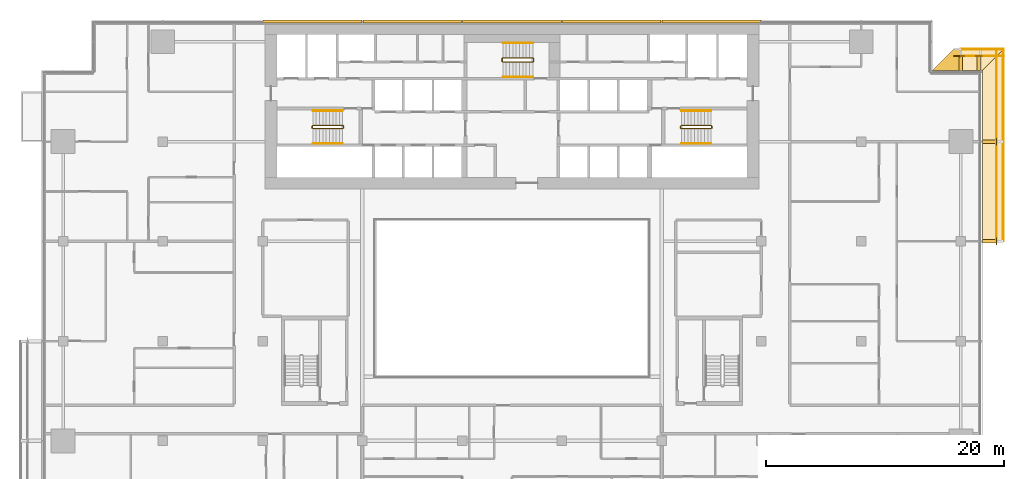
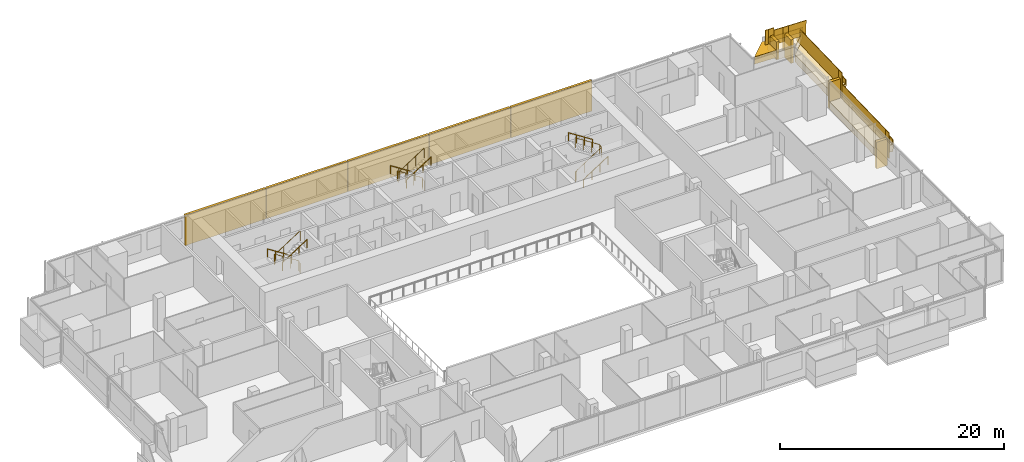
# One storey, part 27 of 29: 17 railings, 16 coverings.
"""IFC4 building model written with IfcOpenShell, lengths in metres."""

from ifc_helpers import new_model, si_unit, direction, frame, origin, origin_2d, place, context, subcontext, project, spatial, polyline, rectangle, circle, outline, extrude, material, layer, layer_set, type_object, element, save


model = new_model("IFC4")

# Units and contexts
model_context = context("Model", 3, precision=1e-05, world=origin(), true_north=direction((0.0, 1.0)))
body_context = subcontext(model_context, "Body", "Model", "MODEL_VIEW")
ifc_project = project(units=[si_unit("LENGTHUNIT", "METRE"), si_unit("AREAUNIT", "SQUARE_METRE"), si_unit("VOLUMEUNIT", "CUBIC_METRE"), si_unit("PLANEANGLEUNIT", "RADIAN"), si_unit("MASSUNIT", "GRAM", prefix="KILO")], contexts=[model_context])

# Site, building, storey
site_placement = place(None, origin())
site = spatial("IfcSite", under=ifc_project, at=site_placement, CompositionType="ELEMENT")
building_placement = place(site_placement, origin())
building = spatial("IfcBuilding", under=site, at=building_placement, Name="Saffron Gate Tower", CompositionType="ELEMENT")
storey_placement = place(building_placement, frame((0.0, 0.0, 113.25)))
storey = spatial("IfcBuildingStorey", under=building, at=storey_placement, Name="L26", CompositionType="ELEMENT", Elevation=113.25)

# Coverings
ifc_material_1 = material(Name="Ceramic-printed bronze insulated panel")
ifc_layer_1 = layer(ifc_material_1, 0.239990234375)
ifc_layer_set_1 = layer_set([ifc_layer_1], Name="CLD2 ceramic-printed cladding panel 240")
covering_type_1 = type_object("IfcCoveringType", Name="CLD2 ceramic-printed cladding panel 240", PredefinedType="CLADDING", material=ifc_layer_set_1)
covering_1_placement = place(storey_placement, origin())
element("IfcCovering", 1, at=covering_1_placement, inside=storey, type_object=covering_type_1, Name="CLADDING ceramic-printed panel", PredefinedType="CLADDING", context=body_context, shape_type="SweptSolid", body=[
    extrude(outline(polyline([(108.56494140625, 75.639892578125), (100.235107421875, 75.639892578125), (100.235107421875, 75.39990234375), (108.56494140625, 75.39990234375), (108.56494140625, 75.639892578125)])), origin(), (0.0, 0.0, 1.0), 3.320068359375),
])
covering_2_placement = place(storey_placement, origin())
element("IfcCovering", 2, at=covering_2_placement, inside=storey, type_object=covering_type_1, Name="CLADDING ceramic-printed panel", PredefinedType="CLADDING", context=body_context, shape_type="SweptSolid", body=[
    extrude(outline(polyline([(100.1650390625, 75.639892578125), (91.8349609375, 75.639892578125), (91.8349609375, 75.39990234375), (100.1650390625, 75.39990234375), (100.1650390625, 75.639892578125)])), origin(), (0.0, 0.0, 1.0), 3.320068359375),
])
covering_3_placement = place(storey_placement, origin())
element("IfcCovering", 3, at=covering_3_placement, inside=storey, type_object=covering_type_1, Name="CLADDING ceramic-printed panel", PredefinedType="CLADDING", context=body_context, shape_type="SweptSolid", body=[
    extrude(outline(polyline([(91.764892578125, 75.639892578125), (83.43505859375, 75.639892578125), (83.43505859375, 75.39990234375), (91.764892578125, 75.39990234375), (91.764892578125, 75.639892578125)])), origin(), (0.0, 0.0, 1.0), 3.320068359375),
])
covering_4_placement = place(storey_placement, origin())
element("IfcCovering", 4, at=covering_4_placement, inside=storey, type_object=covering_type_1, Name="CLADDING ceramic-printed panel", PredefinedType="CLADDING", context=body_context, shape_type="SweptSolid", body=[
    extrude(outline(polyline([(83.364990234375, 75.639892578125), (75.034912109375, 75.639892578125), (75.034912109375, 75.39990234375), (83.364990234375, 75.39990234375), (83.364990234375, 75.639892578125)])), origin(), (0.0, 0.0, 1.0), 3.320068359375),
])
covering_5_placement = place(storey_placement, origin())
element("IfcCovering", 5, at=covering_5_placement, inside=storey, type_object=covering_type_1, Name="CLADDING ceramic-printed panel", PredefinedType="CLADDING", context=body_context, shape_type="SweptSolid", body=[
    extrude(outline(polyline([(74.965087890625, 75.639892578125), (66.635009765625, 75.639892578125), (66.635009765625, 75.39990234375), (74.965087890625, 75.39990234375), (74.965087890625, 75.639892578125)])), origin(), (0.0, 0.0, 1.0), 3.320068359375),
])

# Railings
ifc_material_2 = material(Name="Stainless steel and laminated glass", Category="steel")
railing_type_1 = type_object("IfcRailingType", Name="CR1 Stair guard 1100", PredefinedType="GUARDRAIL", material=ifc_material_2)
railing_1_placement = place(storey_placement, frame((73.39990234375, 66.550048828125, 0.0)))
element("IfcRailing", 6, at=railing_1_placement, inside=storey, type_object=railing_type_1, Name="L26 ST-A stair guard 1", PredefinedType="GUARDRAIL", context=body_context, shape_type="SweptSolid", body=[
    extrude(circle(Radius=0.02392578125, at=origin_2d()), frame((0.0, 0.0, 1.076171875), z_axis=(0.0, 1.0, 0.0), x_axis=(-1.0, 0.0, 0.0)), (0.0, 0.0, 1.0), 0.14990234375),
    extrude(circle(Radius=0.02392578125, at=origin_2d()), frame((0.0, 0.14990234375, 1.076171875), z_axis=(-0.257669022063, 0.258932105505, 0.930892496375), x_axis=(-0.708833529934, -0.705375805398, 0.0)), (0.0, 0.0, 1.0), 0.193359375),
    extrude(circle(Radius=0.02392578125, at=origin_2d()), frame((-0.0498046875, 0.199951171875, 1.255859375), z_axis=(-0.841162588446, 0.0, 0.540782303519), x_axis=(0.0, -1.0, 0.0)), (0.0, 0.0, 1.0), 2.995849609375),
    extrude(circle(Radius=0.02392578125, at=origin_2d()), frame((-2.56982421875, 0.199951171875, 2.8759765625), z_axis=(-0.707106781187, -0.707106781187, 0.0), x_axis=(0.707106781187, -0.707106781187, 0.0)), (0.0, 0.0, 1.0), 0.07080078125),
    extrude(circle(Radius=0.02392578125, at=origin_2d()), frame((-2.619873046875, 0.14990234375, 2.8759765625), z_axis=(0.0, -1.0, 0.0), x_axis=(1.0, 0.0, 0.0)), (0.0, 0.0, 1.0), 0.14990234375),
    extrude(circle(Radius=0.02392578125, at=origin_2d()), frame((-2.619873046875, 0.0, 2.8759765625), z_axis=(0.258847668887, -0.258847668887, 0.930588936439), x_axis=(0.707106781187, 0.707106781187, 0.0)), (0.0, 0.0, 1.0), 0.193359375),
    extrude(circle(Radius=0.02392578125, at=origin_2d()), frame((-2.56982421875, -0.050048828125, 3.05615234375), z_axis=(0.841162588446, 0.0, 0.540782303519), x_axis=(0.0, 1.0, 0.0)), (0.0, 0.0, 1.0), 2.995849609375),
    extrude(circle(Radius=0.02099609375, at=origin_2d()), origin(), (0.0, 0.0, 1.0), 1.052001953125),
    extrude(circle(Radius=0.02099609375, at=origin_2d()), frame((0.0, 0.14990234375, 0.0)), (0.0, 0.0, 1.0), 1.052001953125),
    extrude(circle(Radius=0.02099609375, at=origin_2d()), frame((-0.0498046875, 0.199951171875, 0.179931640625)), (0.0, 0.0, 1.0), 1.052001953125),
    extrude(circle(Radius=0.02099609375, at=origin_2d()), frame((-0.889892578125, 0.199951171875, 0.719970703125)), (0.0, 0.0, 1.0), 1.052001953125),
    extrude(circle(Radius=0.02099609375, at=origin_2d()), frame((-1.729736328125, 0.199951171875, 1.260009765625)), (0.0, 0.0, 1.0), 1.052001953125),
    extrude(circle(Radius=0.02099609375, at=origin_2d()), frame((-2.56982421875, 0.199951171875, 1.800048828125)), (0.0, 0.0, 1.0), 1.052001953125),
    extrude(circle(Radius=0.02099609375, at=origin_2d()), frame((-2.619873046875, 0.14990234375, 1.800048828125)), (0.0, 0.0, 1.0), 1.052001953125),
    extrude(circle(Radius=0.02099609375, at=origin_2d()), frame((-2.619873046875, 0.0, 1.800048828125)), (0.0, 0.0, 1.0), 1.052001953125),
    extrude(circle(Radius=0.02099609375, at=origin_2d()), frame((-2.56982421875, -0.050048828125, 1.97998046875)), (0.0, 0.0, 1.0), 1.052001953125),
    extrude(circle(Radius=0.02099609375, at=origin_2d()), frame((-1.729736328125, -0.050048828125, 2.52001953125)), (0.0, 0.0, 1.0), 1.052001953125),
    extrude(circle(Radius=0.02099609375, at=origin_2d()), frame((-0.889892578125, -0.050048828125, 3.06005859375)), (0.0, 0.0, 1.0), 1.052001953125),
    extrude(circle(Radius=0.02099609375, at=origin_2d()), frame((-0.0498046875, -0.050048828125, 3.60009765625)), (0.0, 0.0, 1.0), 1.052001953125),
])
railing_2_placement = place(storey_placement, frame((101.800048828125, 66.699951171875, 0.0)))
element("IfcRailing", 7, at=railing_2_placement, inside=storey, type_object=railing_type_1, Name="L26 ST-B stair guard 1", PredefinedType="GUARDRAIL", context=body_context, shape_type="SweptSolid", body=[
    extrude(circle(Radius=0.02392578125, at=origin_2d()), frame((0.0, 0.0, 1.076171875), z_axis=(0.0, -1.0, 0.0), x_axis=(1.0, 0.0, 0.0)), (0.0, 0.0, 1.0), 0.14990234375),
    extrude(circle(Radius=0.02392578125, at=origin_2d()), frame((0.0, -0.14990234375, 1.076171875), z_axis=(0.258847668887, -0.258847668887, 0.930588936439), x_axis=(0.707106781187, 0.707106781187, 0.0)), (0.0, 0.0, 1.0), 0.193359375),
    extrude(circle(Radius=0.02392578125, at=origin_2d()), frame((0.050048828125, -0.199951171875, 1.255859375), z_axis=(0.841162588446, 0.0, 0.540782303519), x_axis=(0.0, 1.0, 0.0)), (0.0, 0.0, 1.0), 2.995849609375),
    extrude(circle(Radius=0.02392578125, at=origin_2d()), frame((2.570068359375, -0.199951171875, 2.8759765625), z_axis=(0.705375805398, 0.708833529934, 0.0), x_axis=(-0.708833529934, 0.705375805398, 0.0)), (0.0, 0.0, 1.0), 0.070556640625),
    extrude(circle(Radius=0.02392578125, at=origin_2d()), frame((2.619873046875, -0.14990234375, 2.8759765625), z_axis=(0.0, 1.0, 0.0), x_axis=(-1.0, 0.0, 0.0)), (0.0, 0.0, 1.0), 0.14990234375),
    extrude(circle(Radius=0.02392578125, at=origin_2d()), frame((2.619873046875, 0.0, 2.8759765625), z_axis=(-0.257669022063, 0.258932105505, 0.930892496375), x_axis=(-0.708833529934, -0.705375805398, 0.0)), (0.0, 0.0, 1.0), 0.193359375),
    extrude(circle(Radius=0.02392578125, at=origin_2d()), frame((2.570068359375, 0.050048828125, 3.05615234375), z_axis=(-0.841162588446, 0.0, 0.540782303519), x_axis=(0.0, -1.0, 0.0)), (0.0, 0.0, 1.0), 2.995849609375),
    extrude(circle(Radius=0.02099609375, at=origin_2d()), origin(), (0.0, 0.0, 1.0), 1.052001953125),
    extrude(circle(Radius=0.02099609375, at=origin_2d()), frame((0.0, -0.14990234375, 0.0)), (0.0, 0.0, 1.0), 1.052001953125),
    extrude(circle(Radius=0.02099609375, at=origin_2d()), frame((0.050048828125, -0.199951171875, 0.179931640625)), (0.0, 0.0, 1.0), 1.052001953125),
    extrude(circle(Radius=0.02099609375, at=origin_2d()), frame((0.89013671875, -0.199951171875, 0.719970703125)), (0.0, 0.0, 1.0), 1.052001953125),
    extrude(circle(Radius=0.02099609375, at=origin_2d()), frame((1.72998046875, -0.199951171875, 1.260009765625)), (0.0, 0.0, 1.0), 1.052001953125),
    extrude(circle(Radius=0.02099609375, at=origin_2d()), frame((2.570068359375, -0.199951171875, 1.800048828125)), (0.0, 0.0, 1.0), 1.052001953125),
    extrude(circle(Radius=0.02099609375, at=origin_2d()), frame((2.619873046875, -0.14990234375, 1.800048828125)), (0.0, 0.0, 1.0), 1.052001953125),
    extrude(circle(Radius=0.02099609375, at=origin_2d()), frame((2.619873046875, 0.0, 1.800048828125)), (0.0, 0.0, 1.0), 1.052001953125),
    extrude(circle(Radius=0.02099609375, at=origin_2d()), frame((2.570068359375, 0.050048828125, 1.97998046875)), (0.0, 0.0, 1.0), 1.052001953125),
    extrude(circle(Radius=0.02099609375, at=origin_2d()), frame((1.72998046875, 0.050048828125, 2.52001953125)), (0.0, 0.0, 1.0), 1.052001953125),
    extrude(circle(Radius=0.02099609375, at=origin_2d()), frame((0.89013671875, 0.050048828125, 3.06005859375)), (0.0, 0.0, 1.0), 1.052001953125),
    extrude(circle(Radius=0.02099609375, at=origin_2d()), frame((0.050048828125, 0.050048828125, 3.60009765625)), (0.0, 0.0, 1.0), 1.052001953125),
])
railing_3_placement = place(storey_placement, frame((89.39990234375, 72.14990234375, 0.0)))
element("IfcRailing", 8, at=railing_3_placement, inside=storey, type_object=railing_type_1, Name="L26 ST-C stair guard 1", PredefinedType="GUARDRAIL", context=body_context, shape_type="SweptSolid", body=[
    extrude(circle(Radius=0.02392578125, at=origin_2d()), frame((0.0, 0.0, 1.076171875), z_axis=(0.0, 1.0, 0.0), x_axis=(-1.0, 0.0, 0.0)), (0.0, 0.0, 1.0), 0.25),
    extrude(circle(Radius=0.02392578125, at=origin_2d()), frame((0.0, 0.25, 1.076171875), z_axis=(-0.257669022063, 0.258932105505, 0.930892496375), x_axis=(-0.708833529934, -0.705375805398, 0.0)), (0.0, 0.0, 1.0), 0.193359375),
    extrude(circle(Radius=0.02392578125, at=origin_2d()), frame((-0.0498046875, 0.300048828125, 1.255859375), z_axis=(-0.841162588446, 0.0, 0.540782303519), x_axis=(0.0, -1.0, 0.0)), (0.0, 0.0, 1.0), 2.995849609375),
    extrude(circle(Radius=0.02392578125, at=origin_2d()), frame((-2.56982421875, 0.300048828125, 2.8759765625), z_axis=(-0.707106781187, -0.707106781187, 0.0), x_axis=(0.707106781187, -0.707106781187, 0.0)), (0.0, 0.0, 1.0), 0.07080078125),
    extrude(circle(Radius=0.02392578125, at=origin_2d()), frame((-2.619873046875, 0.25, 2.8759765625), z_axis=(0.0, -1.0, 0.0), x_axis=(1.0, 0.0, 0.0)), (0.0, 0.0, 1.0), 0.25),
    extrude(circle(Radius=0.02392578125, at=origin_2d()), frame((-2.619873046875, 0.0, 2.8759765625), z_axis=(0.258932105505, -0.257669022063, 0.930892496375), x_axis=(0.705375805398, 0.708833529934, 0.0)), (0.0, 0.0, 1.0), 0.193359375),
    extrude(circle(Radius=0.02392578125, at=origin_2d()), frame((-2.56982421875, -0.0498046875, 3.05615234375), z_axis=(0.841162588446, 0.0, 0.540782303519), x_axis=(0.0, 1.0, 0.0)), (0.0, 0.0, 1.0), 2.995849609375),
    extrude(circle(Radius=0.02099609375, at=origin_2d()), origin(), (0.0, 0.0, 1.0), 1.052001953125),
    extrude(circle(Radius=0.02099609375, at=origin_2d()), frame((0.0, 0.25, 0.0)), (0.0, 0.0, 1.0), 1.052001953125),
    extrude(circle(Radius=0.02099609375, at=origin_2d()), frame((-0.0498046875, 0.300048828125, 0.179931640625)), (0.0, 0.0, 1.0), 1.052001953125),
    extrude(circle(Radius=0.02099609375, at=origin_2d()), frame((-0.889892578125, 0.300048828125, 0.719970703125)), (0.0, 0.0, 1.0), 1.052001953125),
    extrude(circle(Radius=0.02099609375, at=origin_2d()), frame((-1.729736328125, 0.300048828125, 1.260009765625)), (0.0, 0.0, 1.0), 1.052001953125),
    extrude(circle(Radius=0.02099609375, at=origin_2d()), frame((-2.56982421875, 0.300048828125, 1.800048828125)), (0.0, 0.0, 1.0), 1.052001953125),
    extrude(circle(Radius=0.02099609375, at=origin_2d()), frame((-2.619873046875, 0.25, 1.800048828125)), (0.0, 0.0, 1.0), 1.052001953125),
    extrude(circle(Radius=0.02099609375, at=origin_2d()), frame((-2.619873046875, 0.0, 1.800048828125)), (0.0, 0.0, 1.0), 1.052001953125),
    extrude(circle(Radius=0.02099609375, at=origin_2d()), frame((-2.56982421875, -0.0498046875, 1.97998046875)), (0.0, 0.0, 1.0), 1.052001953125),
    extrude(circle(Radius=0.02099609375, at=origin_2d()), frame((-1.729736328125, -0.0498046875, 2.52001953125)), (0.0, 0.0, 1.0), 1.052001953125),
    extrude(circle(Radius=0.02099609375, at=origin_2d()), frame((-0.889892578125, -0.0498046875, 3.06005859375)), (0.0, 0.0, 1.0), 1.052001953125),
    extrude(circle(Radius=0.02099609375, at=origin_2d()), frame((-0.0498046875, -0.0498046875, 3.60009765625)), (0.0, 0.0, 1.0), 1.052001953125),
])
ifc_material_3 = material(Name="Stainless steel", Category="steel")
railing_type_2 = type_object("IfcRailingType", Name="CR2 Stair handrail 900", PredefinedType="HANDRAIL", material=ifc_material_3)
railing_4_placement = place(storey_placement, frame((73.35009765625, 68.0, 0.179931640625)))
element("IfcRailing", 9, at=railing_4_placement, inside=storey, type_object=railing_type_2, Name="L26 ST-A stair handrail 1", PredefinedType="HANDRAIL", context=body_context, shape_type="SweptSolid", body=[
    extrude(circle(Radius=0.02392578125, at=origin_2d()), frame((0.0, 0.0, 0.8759765625), z_axis=(-0.841162588446, 0.0, 0.540782303519), x_axis=(0.0, -1.0, 0.0)), (0.0, 0.0, 1.0), 2.995849609375),
    extrude(circle(Radius=0.02099609375, at=origin_2d()), origin(), (0.0, 0.0, 1.0), 0.851806640625),
    extrude(circle(Radius=0.02099609375, at=origin_2d()), frame((-0.840087890625, 0.0, 0.5400390625)), (0.0, 0.0, 1.0), 0.851806640625),
    extrude(circle(Radius=0.02099609375, at=origin_2d()), frame((-1.679931640625, 0.0, 1.080078125)), (0.0, 0.0, 1.0), 0.851806640625),
    extrude(circle(Radius=0.02099609375, at=origin_2d()), frame((-2.52001953125, 0.0, 1.6201171875)), (0.0, 0.0, 1.0), 0.851806640625),
])
for number, where, name in (
    (10, (70.830078125, 65.25, 1.97998046875), "L26 ST-A stair handrail 2"),
    (11, (101.85009765625, 65.25, 0.179931640625), "L26 ST-B stair handrail 1"),
):
    element("IfcRailing", number, at=place(storey_placement, frame(where)), inside=storey, type_object=railing_type_2, Name=name, PredefinedType="HANDRAIL", context=body_context, shape_type="SweptSolid", body=[
        extrude(circle(Radius=0.02392578125, at=origin_2d()), frame((0.0, 0.0, 0.8759765625), z_axis=(0.841162588446, 0.0, 0.540782303519), x_axis=(0.0, 1.0, 0.0)), (0.0, 0.0, 1.0), 2.995849609375),
        extrude(circle(Radius=0.02099609375, at=origin_2d()), origin(), (0.0, 0.0, 1.0), 0.851806640625),
        extrude(circle(Radius=0.02099609375, at=origin_2d()), frame((0.840087890625, 0.0, 0.5400390625)), (0.0, 0.0, 1.0), 0.851806640625),
        extrude(circle(Radius=0.02099609375, at=origin_2d()), frame((1.679931640625, 0.0, 1.080078125)), (0.0, 0.0, 1.0), 0.851806640625),
        extrude(circle(Radius=0.02099609375, at=origin_2d()), frame((2.52001953125, 0.0, 1.6201171875)), (0.0, 0.0, 1.0), 0.851806640625),
    ])
for number, where, name in (
    (12, (104.3701171875, 68.0, 1.97998046875), "L26 ST-B stair handrail 2"),
    (13, (89.35009765625, 73.699951171875, 0.179931640625), "L26 ST-C stair handrail 1"),
):
    element("IfcRailing", number, at=place(storey_placement, frame(where)), inside=storey, type_object=railing_type_2, Name=name, PredefinedType="HANDRAIL", context=body_context, shape_type="SweptSolid", body=[
        extrude(circle(Radius=0.02392578125, at=origin_2d()), frame((0.0, 0.0, 0.8759765625), z_axis=(-0.841162588446, 0.0, 0.540782303519), x_axis=(0.0, -1.0, 0.0)), (0.0, 0.0, 1.0), 2.995849609375),
        extrude(circle(Radius=0.02099609375, at=origin_2d()), origin(), (0.0, 0.0, 1.0), 0.851806640625),
        extrude(circle(Radius=0.02099609375, at=origin_2d()), frame((-0.840087890625, 0.0, 0.5400390625)), (0.0, 0.0, 1.0), 0.851806640625),
        extrude(circle(Radius=0.02099609375, at=origin_2d()), frame((-1.679931640625, 0.0, 1.080078125)), (0.0, 0.0, 1.0), 0.851806640625),
        extrude(circle(Radius=0.02099609375, at=origin_2d()), frame((-2.52001953125, 0.0, 1.6201171875)), (0.0, 0.0, 1.0), 0.851806640625),
    ])
railing_5_placement = place(storey_placement, frame((86.830078125, 70.85009765625, 1.97998046875)))
element("IfcRailing", 14, at=railing_5_placement, inside=storey, type_object=railing_type_2, Name="L26 ST-C stair handrail 2", PredefinedType="HANDRAIL", context=body_context, shape_type="SweptSolid", body=[
    extrude(circle(Radius=0.02392578125, at=origin_2d()), frame((0.0, 0.0, 0.8759765625), z_axis=(0.841162588446, 0.0, 0.540782303519), x_axis=(0.0, 1.0, 0.0)), (0.0, 0.0, 1.0), 2.995849609375),
    extrude(circle(Radius=0.02099609375, at=origin_2d()), origin(), (0.0, 0.0, 1.0), 0.851806640625),
    extrude(circle(Radius=0.02099609375, at=origin_2d()), frame((0.840087890625, 0.0, 0.5400390625)), (0.0, 0.0, 1.0), 0.851806640625),
    extrude(circle(Radius=0.02099609375, at=origin_2d()), frame((1.679931640625, 0.0, 1.080078125)), (0.0, 0.0, 1.0), 0.851806640625),
    extrude(circle(Radius=0.02099609375, at=origin_2d()), frame((2.52001953125, 0.0, 1.6201171875)), (0.0, 0.0, 1.0), 0.851806640625),
])

# Coverings
ifc_material_4 = material(Name="Timber, thermally modified ash", Category="wood")
ifc_layer_2 = layer(ifc_material_4, 0.800048828125)
ifc_layer_set_2 = layer_set([ifc_layer_2], Name="LD1 ledge timber")
covering_type_2 = type_object("IfcCoveringType", Name="LD1 ledge timber", PredefinedType="CLADDING", material=ifc_layer_set_2)
covering_6_placement = place(storey_placement, frame((127.199951171875, 57.0, 0.4140625), z_axis=(0.0, -0.028791175352, 0.999585448184), x_axis=(0.0, 0.999585448184, 0.028791175352)))
element("IfcCovering", 15, at=covering_6_placement, inside=storey, type_object=covering_type_2, Name="LEDGE", PredefinedType="CLADDING", context=body_context, shape_type="SweptSolid", body=[
    extrude(outline(polyline([(0.0, 0.0), (8.403385982666892, 0.0), (8.403385982666892, -1.800048828125), (0.0, -1.800048828125), (0.0, 0.0)])), origin(), (0.0, 0.0, -1.0), 0.800048828125),
])
covering_7_placement = place(storey_placement, frame((127.199951171875, 65.39990234375, 1.8564453125), z_axis=(2.391759e-05, -0.028789477025, 0.999585496814), x_axis=(-1.72e-10, 0.9995854971, 0.028789477033)))
element("IfcCovering", 16, at=covering_7_placement, inside=storey, type_object=covering_type_2, Name="LEDGE", PredefinedType="CLADDING", context=body_context, shape_type="SweptSolid", body=[
    extrude(outline(polyline([(0.0, 0.0), (6.002489288687248, 8.470329472543003e-22), (7.80328207139786, -1.8000488299785034), (-3.0879623774719253e-10, -1.8000488276101398), (0.0, 0.0)])), origin(), (0.0, 0.0, -1.0), 0.800048828125),
])
covering_8_placement = place(storey_placement, frame((127.199951171875, 71.39990234375, 2.88671875), z_axis=(0.028786835276, 4.5191264e-05, 0.999585572161), x_axis=(-0.999585573182, 2.041e-09, 0.028786835305)))
element("IfcCovering", 17, at=covering_8_placement, inside=storey, type_object=covering_type_2, Name="LEDGE", PredefinedType="CLADDING", context=body_context, shape_type="SweptSolid", body=[
    extrude(outline(polyline([(0.0, 0.0), (1.8007927832406818, 0.0), (1.8007927869153135, -1.800048826286925), (-1.8007998076020133, -1.8000488373153904), (0.0, 0.0)])), origin(), (0.0, 0.0, -1.0), 0.800048828125),
])
covering_9_placement = place(storey_placement, frame((125.39990234375, 71.39990234375, 3.19580078125), z_axis=(0.028798988267, -2.8677152e-05, 0.999585222706), x_axis=(-0.999585223117, -6.17e-10, 0.028798988279)))
element("IfcCovering", 18, at=covering_9_placement, inside=storey, type_object=covering_type_2, Name="LEDGE", PredefinedType="CLADDING", context=body_context, shape_type="SweptSolid", body=[
    extrude(outline(polyline([(0.0, 0.0), (2.400896693585025, 4.235164736271502e-22), (0.6001039103565923, -1.8000488292351675), (-1.1098572600196767e-09, -1.8000488273848385), (0.0, 0.0)])), origin(), (0.0, 0.0, -1.0), 0.800048828125),
])
ifc_layer_3 = layer(ifc_material_4, 0.080078125)
ifc_layer_set_3 = layer_set([ifc_layer_3], Name="LD2 ledge planter trough")
covering_type_3 = type_object("IfcCoveringType", Name="LD2 ledge planter trough", PredefinedType="CLADDING", material=ifc_layer_set_3)
covering_10_placement = place(storey_placement, frame((129.0, 57.0, 0.4140625), z_axis=(1.0, 0.0, 0.0), x_axis=(0.0, 0.999585448184, 0.028791175352)))
element("IfcCovering", 19, at=covering_10_placement, inside=storey, type_object=covering_type_3, Name="LEDGE planter trough", PredefinedType="CLADDING", context=body_context, shape_type="SweptSolid", body=[
    extrude(outline(polyline([(0.0, 0.0), (8.403385982666892, 0.0), (8.417781570342743, 0.49979272409216496), (0.014395587675851172, 0.4997927240921649), (0.0, 0.0)])), origin(), (0.0, 0.0, -1.0), 0.080078125),
])
covering_11_placement = place(storey_placement, frame((129.0, 65.39990234375, 1.8564453125), z_axis=(1.0, 0.0, 0.0), x_axis=(0.0, 0.999585655924, 0.028783962047)))
element("IfcCovering", 20, at=covering_11_placement, inside=storey, type_object=covering_type_3, Name="LEDGE planter trough", PredefinedType="CLADDING", context=body_context, shape_type="SweptSolid", body=[
    extrude(outline(polyline([(0.0, 0.0), (7.803282071825423, 2.7755575615628914e-17), (7.817674052849086, 0.4997928279619612), (0.014391981023662846, 0.4997928279619612), (0.0, 0.0)])), origin(), (0.0, 0.0, -1.0), 0.080078125),
])
covering_12_placement = place(storey_placement, frame((129.0, 73.199951171875, 2.834716796875), z_axis=(0.0, 1.0, 0.0), x_axis=(-0.99958492274, 0.0, 0.028809412191)))
element("IfcCovering", 21, at=covering_12_placement, inside=storey, type_object=covering_type_3, Name="LEDGE planter trough", PredefinedType="CLADDING", context=body_context, shape_type="SweptSolid", body=[
    extrude(outline(polyline([(0.0, 0.0), (3.601592595435983, 0.0), (3.6159973015313485, 0.4997924613700232), (0.014404706095365512, 0.4997924613700232), (0.0, 0.0)])), origin(), (0.0, 0.0, -1.0), 0.080078125),
])
ifc_layer_4 = layer(ifc_material_4, 0.300048828125)
ifc_layer_set_4 = layer_set([ifc_layer_4], Name="LD3 ledge riser fin")
covering_type_4 = type_object("IfcCoveringType", Name="LD3 ledge riser fin", PredefinedType="CLADDING", material=ifc_layer_set_4)
for number, where, z_axis, x_axis, name in (
    (22, (127.760009765625, 57.0, -1.586181640625), (0.0, 0.0, 1.0), (0.0, 1.0, 0.0), "LEDGE riser fin"),
    (23, (127.760009765625, 65.39990234375, -0.14404296875), (0.0, 0.0, 1.0), (0.0, 1.0, 0.0), "LEDGE riser fin"),
):
    element("IfcCovering", number, at=place(storey_placement, frame(where, z_axis=z_axis, x_axis=x_axis)), inside=storey, type_object=covering_type_4, Name=name, PredefinedType="CLADDING", context=body_context, shape_type="SweptSolid", body=[
        extrude(rectangle(XDim=0.300048828125, YDim=1.1201171875, at=origin_2d()), origin(), (0.0, 0.0, 1.0), 2.900390625),
    ])
covering_13_placement = place(storey_placement, frame((126.89990234375, 71.9599609375, 1.2294921875), z_axis=(0.0, 0.0, 1.0), x_axis=(-1.0, 0.0, 0.0)))
element("IfcCovering", 24, at=covering_13_placement, inside=storey, type_object=covering_type_4, Name="LEDGE riser fin", PredefinedType="CLADDING", context=body_context, shape_type="SweptSolid", body=[
    extrude(rectangle(XDim=0.300048828125, YDim=1.1201171875, at=origin_2d()), origin(), (0.0, 0.0, 1.0), 2.557373046875),
])
covering_14_placement = place(storey_placement, frame((125.39990234375, 71.9599609375, 2.138671875), z_axis=(0.0, 0.0, 1.0), x_axis=(-1.0, 0.0, 0.0)))
element("IfcCovering", 25, at=covering_14_placement, inside=storey, type_object=covering_type_4, Name="LEDGE riser fin", PredefinedType="CLADDING", context=body_context, shape_type="SweptSolid", body=[
    extrude(rectangle(XDim=0.300048828125, YDim=1.1201171875, at=origin_2d()), origin(), (0.0, 0.0, 1.0), 1.957275390625),
])

# Railings
railing_type_3 = type_object("IfcRailingType", Name="LG1 ledge balustrade", PredefinedType="BALUSTRADE", material=ifc_material_4)
railing_6_placement = place(storey_placement, frame((128.39990234375, 57.0, 0.4140625)))
element("IfcRailing", 26, at=railing_6_placement, inside=storey, type_object=railing_type_3, Name="LEDGE BALUSTRADE", PredefinedType="BALUSTRADE", context=body_context, shape_type="SweptSolid", body=[
    extrude(rectangle(XDim=0.06005859375, YDim=1.60009765625, at=origin_2d()), frame((0.0, 0.0, 0.800048828125), z_axis=(0.0, 0.999585448184, 0.028791175352), x_axis=(-1.0, 0.0, 0.0)), (0.0, 0.0, 1.0), 8.4033203125),
])
railing_7_placement = place(storey_placement, frame((128.39990234375, 56.699951171875, -0.786376953125)))
element("IfcRailing", 27, at=railing_7_placement, inside=storey, type_object=railing_type_3, Name="LEDGE BALUSTRADE", PredefinedType="BALUSTRADE", context=body_context, shape_type="SweptSolid", body=[
    extrude(rectangle(XDim=0.06005859375, YDim=2.80029296875, at=origin_2d()), frame((0.0, 0.0, 1.400146484375), z_axis=(0.0, 1.0, 0.0), x_axis=(-1.0, 0.0, 0.0)), (0.0, 0.0, 1.0), 0.60009765625),
])
railing_8_placement = place(storey_placement, frame((128.39990234375, 65.39990234375, 1.8564453125)))
element("IfcRailing", 28, at=railing_8_placement, inside=storey, type_object=railing_type_3, Name="LEDGE BALUSTRADE", PredefinedType="BALUSTRADE", context=body_context, shape_type="SweptSolid", body=[
    extrude(rectangle(XDim=0.06005859375, YDim=1.60009765625, at=origin_2d()), frame((0.0, 0.0, 0.800048828125), z_axis=(0.0, 0.999585655924, 0.028783962047), x_axis=(-1.0, 0.0, 0.0)), (0.0, 0.0, 1.0), 7.80322265625),
])
railing_9_placement = place(storey_placement, frame((128.39990234375, 65.10009765625, 0.656005859375)))
element("IfcRailing", 29, at=railing_9_placement, inside=storey, type_object=railing_type_3, Name="LEDGE BALUSTRADE", PredefinedType="BALUSTRADE", context=body_context, shape_type="SweptSolid", body=[
    extrude(rectangle(XDim=0.06005859375, YDim=2.80029296875, at=origin_2d()), frame((0.0, 0.0, 1.400146484375), z_axis=(0.0, 1.0, 0.0), x_axis=(-1.0, 0.0, 0.0)), (0.0, 0.0, 1.0), 0.599853515625),
])
railing_10_placement = place(storey_placement, frame((129.0, 72.60009765625, 2.834716796875)))
element("IfcRailing", 30, at=railing_10_placement, inside=storey, type_object=railing_type_3, Name="LEDGE BALUSTRADE", PredefinedType="BALUSTRADE", context=body_context, shape_type="SweptSolid", body=[
    extrude(rectangle(XDim=0.06005859375, YDim=1.60009765625, at=origin_2d()), frame((0.0, 0.0, 0.800048828125), z_axis=(-0.99958492274, 0.0, 0.028809412191), x_axis=(0.0, -1.0, 0.0)), (0.0, 0.0, 1.0), 3.6015625),
])
railing_11_placement = place(storey_placement, frame((127.199951171875, 72.60009765625, 2.029296875)))
element("IfcRailing", 31, at=railing_11_placement, inside=storey, type_object=railing_type_3, Name="LEDGE BALUSTRADE", PredefinedType="BALUSTRADE", context=body_context, shape_type="SweptSolid", body=[
    extrude(rectangle(XDim=0.06005859375, YDim=2.45751953125, at=origin_2d()), frame((0.0, 0.0, 1.228759765625), z_axis=(-1.0, 0.0, 0.0), x_axis=(0.0, -1.0, 0.0)), (0.0, 0.0, 1.0), 0.599853515625),
])
railing_12_placement = place(storey_placement, frame((125.39990234375, 72.60009765625, 3.19580078125)))
element("IfcRailing", 32, at=railing_12_placement, inside=storey, type_object=railing_type_3, Name="LEDGE BALUSTRADE", PredefinedType="BALUSTRADE", context=body_context, shape_type="SweptSolid", body=[
    extrude(rectangle(XDim=0.06005859375, YDim=1.60009765625, at=origin_2d()), frame((0.0, 0.0, 0.800048828125), z_axis=(-0.999582742162, 0.0, 0.028884971385), x_axis=(0.0, -1.0, 0.0)), (0.0, 0.0, 1.0), 0.60009765625),
])
railing_13_placement = place(storey_placement, frame((125.699951171875, 72.60009765625, 2.9384765625)))
element("IfcRailing", 33, at=railing_13_placement, inside=storey, type_object=railing_type_3, Name="LEDGE BALUSTRADE", PredefinedType="BALUSTRADE", context=body_context, shape_type="SweptSolid", body=[
    extrude(rectangle(XDim=0.06005859375, YDim=1.857177734375, at=origin_2d()), frame((0.0, 0.0, 0.9287109375), z_axis=(-1.0, 0.0, 0.0), x_axis=(0.0, -1.0, 0.0)), (0.0, 0.0, 1.0), 0.599853515625),
])

save(model, "model.ifc")
